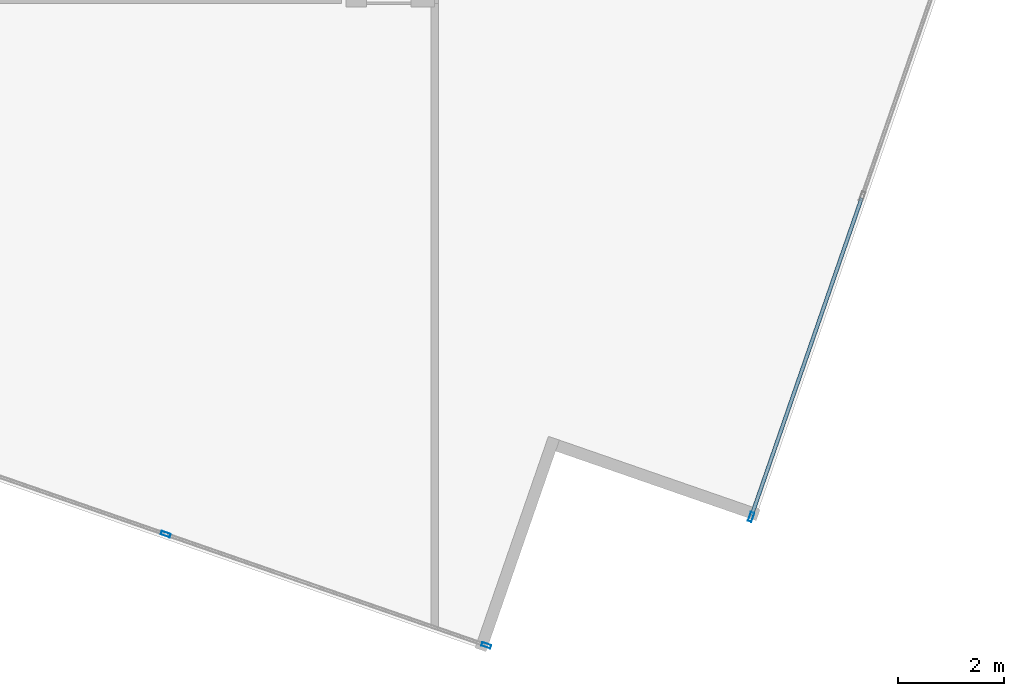
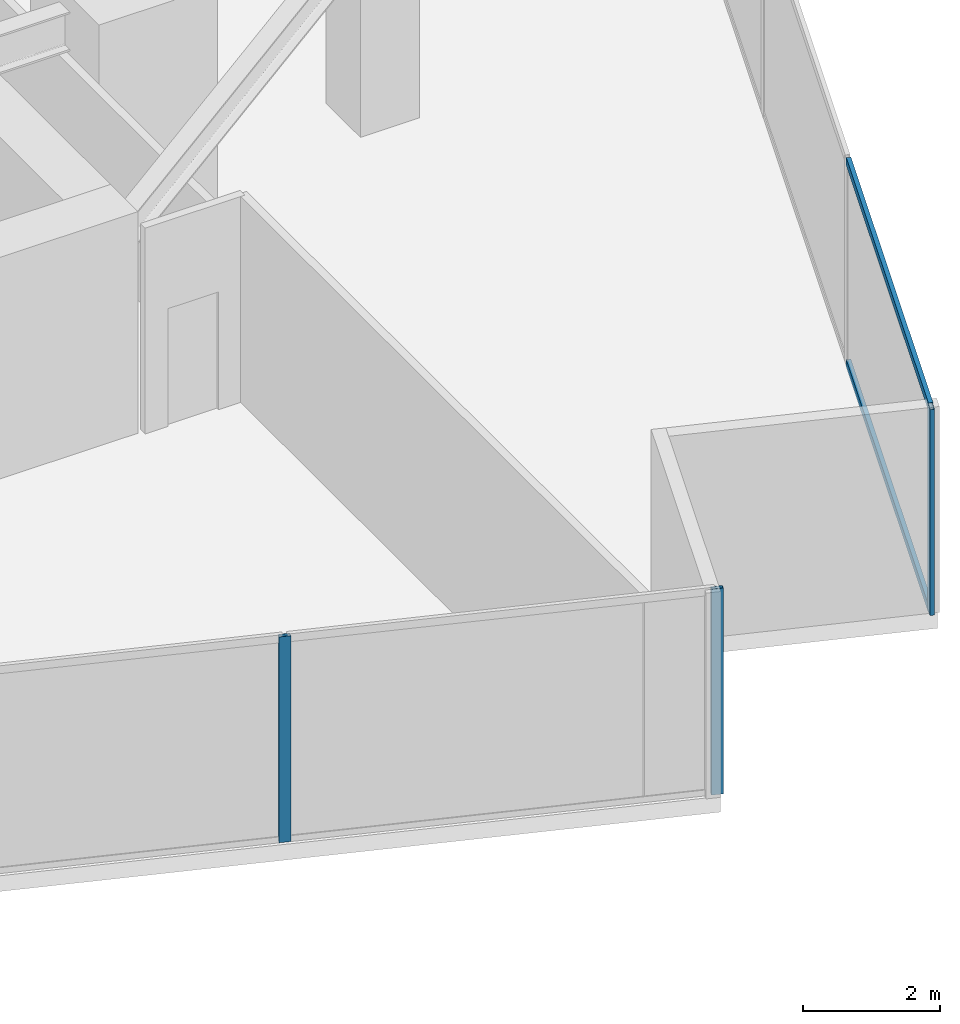
# One storey, part 10 of 27: 5 members, 2 elements without a shape of their own.
"""IFC4 building model written with IfcOpenShell, lengths in metres."""

from ifc_helpers import new_model, si_unit, direction, frame, origin, origin_2d, place, context, subcontext, project, spatial, hollow_rectangle, extrude, source, transform, mapped, material, material_profile, profile_set, type_object, type_shapes, element, aggregate, save


model = new_model("IFC4")

# Units and contexts
model_context = context("Model", 3, precision=1e-05, world=origin(), true_north=direction((0.0, 1.0)))
body_context = subcontext(model_context, "Body", "Model", "MODEL_VIEW")
ifc_project = project(units=[si_unit("LENGTHUNIT", "METRE"), si_unit("AREAUNIT", "SQUARE_METRE"), si_unit("VOLUMEUNIT", "CUBIC_METRE"), si_unit("PLANEANGLEUNIT", "RADIAN"), si_unit("MASSUNIT", "GRAM", prefix="KILO")], contexts=[model_context])

# Site, building, storey
site_placement = place(None, origin())
site = spatial("IfcSite", under=ifc_project, at=site_placement, CompositionType="ELEMENT")
building_placement = place(site_placement, origin())
building = spatial("IfcBuilding", under=site, at=building_placement, Name="Krantzveldt Concourse Tower", CompositionType="ELEMENT")
storey_placement = place(building_placement, frame((0.0, 0.0, 121.64990234375)))
storey = spatial("IfcBuildingStorey", under=building, at=storey_placement, Name="L29", CompositionType="ELEMENT", Elevation=121.64990234375)

# Curtain wall, members
ifc_material = material(Name="Anodised aluminium 6063-T6", Category="aluminium")
curtain_wall_type = type_object("IfcCurtainWallType", Name="CW2", PredefinedType="USERDEFINED", material=ifc_material)
curtain_wall_1_placement = place(storey_placement, origin())
curtain_wall_1 = element("IfcCurtainWall", 1, at=curtain_wall_1_placement, inside=storey, type_object=curtain_wall_type, Name="CW-L29-F04", ObjectType="UNITISED CURTAIN WALL", PredefinedType="USERDEFINED")
ifc_material_profile_1 = material_profile(ifc_material, hollow_rectangle(XDim=0.070068359375, YDim=0.179931640625, WallThickness=0.0048828125, at=origin_2d()), Name="Anodised aluminium 6063-T6", Category="aluminium")
ifc_profile_set_1 = profile_set([ifc_material_profile_1], Name="Anodised aluminium 6063-T6 - ALU-MULL 180x70x5")
member_type_1 = type_object("IfcMemberType", Name="CW-MUL-180", PredefinedType="MULLION", material=ifc_profile_set_1)
shared_shape_1 = source(origin(), body_context, "Body", "SweptSolid", [
    extrude(hollow_rectangle(XDim=0.070068359375, YDim=0.179931640625, WallThickness=0.0048828125, at=origin_2d()), origin(), (0.0, 0.0, 1.0), 3.670166015625),
])
type_shapes(member_type_1, [shared_shape_1])
member_1_placement = place(storey_placement, frame((40.58251953125, 0.439208984375, 0.0), z_axis=(0.0, 0.0, 1.0), x_axis=(0.32763019404, 0.944806041446, 0.0)))
member_1 = element("IfcMember", 2, at=member_1_placement, type_object=member_type_1, Name="CW-Z12 mullion 6", PredefinedType="MULLION", context=body_context, shape_type="MappedRepresentation", body=[
    mapped(shared_shape_1, transform((0.0, 0.0, 0.0), x_axis=(1.0, 0.0, 0.0), y_axis=(0.0, 1.0, 0.0), z_axis=(0.0, 0.0, 1.0), scale=1.0)),
])
member_2_placement = place(storey_placement, frame((46.6591796875, -1.66796875, 0.0), z_axis=(0.0, 0.0, 1.0), x_axis=(0.32763019404, 0.944806041446, 0.0)))
member_2 = element("IfcMember", 3, at=member_2_placement, type_object=member_type_1, Name="CW-Z12 mullion 7", PredefinedType="MULLION", context=body_context, shape_type="MappedRepresentation", body=[
    mapped(shared_shape_1, transform((0.0, 0.0, 0.0), x_axis=(1.0, 0.0, 0.0), y_axis=(0.0, 1.0, 0.0), z_axis=(0.0, 0.0, 1.0), scale=1.0)),
])
aggregate(curtain_wall_1, [member_1, member_2])

curtain_wall_2_placement = place(storey_placement, origin())
curtain_wall_2 = element("IfcCurtainWall", 4, at=curtain_wall_2_placement, inside=storey, type_object=curtain_wall_type, Name="CW-L29-F07", ObjectType="UNITISED CURTAIN WALL", PredefinedType="USERDEFINED")
member_3_placement = place(storey_placement, frame((51.678955078125, 0.766845703125, 0.0), z_axis=(0.0, 0.0, 1.0), x_axis=(-0.944806041446, 0.32763019404, 0.0)))
member_3 = element("IfcMember", 5, at=member_3_placement, type_object=member_type_1, Name="CW-Z12 mullion 1", PredefinedType="MULLION", context=body_context, shape_type="MappedRepresentation", body=[
    mapped(shared_shape_1, transform((0.0, 0.0, 0.0), x_axis=(1.0, 0.0, 0.0), y_axis=(0.0, 1.0, 0.0), z_axis=(0.0, 0.0, 1.0), scale=1.0)),
])
ifc_material_profile_2 = material_profile(ifc_material, hollow_rectangle(XDim=0.070068359375, YDim=0.139892578125, WallThickness=0.0048828125, at=origin_2d()), Name="Anodised aluminium 6063-T6", Category="aluminium")
ifc_profile_set_2 = profile_set([ifc_material_profile_2], Name="Anodised aluminium 6063-T6 - ALU-TRAN 140x70x5")
member_type_2 = type_object("IfcMemberType", Name="CW-TRN-150", PredefinedType="USERDEFINED", material=ifc_profile_set_2)
shared_shape_2 = source(origin(), body_context, "Body", "SweptSolid", [
    extrude(hollow_rectangle(XDim=0.070068359375, YDim=0.139892578125, WallThickness=0.0048828125, at=origin_2d()), origin(), (0.0, 0.0, 1.0), 6.361572265625),
])
type_shapes(member_type_2, [shared_shape_2])
member_4_placement = place(storey_placement, frame((51.6904296875, 0.7998046875, 0.03515625), z_axis=(0.327625894764, 0.944807532294, 0.0), x_axis=(-0.944807532294, 0.327625894764, 0.0)))
member_4 = element("IfcMember", 6, at=member_4_placement, type_object=member_type_2, Name="CW-Z12 transom 1.1", ObjectType="TRANSOM", PredefinedType="USERDEFINED", context=body_context, shape_type="MappedRepresentation", body=[
    mapped(shared_shape_2, transform((0.0, 0.0, 0.0), x_axis=(1.0, 0.0, 0.0), y_axis=(0.0, 1.0, 0.0), z_axis=(0.0, 0.0, 1.0), scale=1.0)),
])
member_5_placement = place(storey_placement, frame((51.6904296875, 0.7998046875, 3.635009765625), z_axis=(0.327625894764, 0.944807532294, 0.0), x_axis=(-0.944807532294, 0.327625894764, 0.0)))
member_5 = element("IfcMember", 7, at=member_5_placement, type_object=member_type_2, Name="CW-Z12 transom 1.2", ObjectType="TRANSOM", PredefinedType="USERDEFINED", context=body_context, shape_type="MappedRepresentation", body=[
    mapped(shared_shape_2, transform((0.0, 0.0, 0.0), x_axis=(1.0, 0.0, 0.0), y_axis=(0.0, 1.0, 0.0), z_axis=(0.0, 0.0, 1.0), scale=1.0)),
])
aggregate(curtain_wall_2, [member_3, member_4, member_5])

save(model, "model.ifc")
